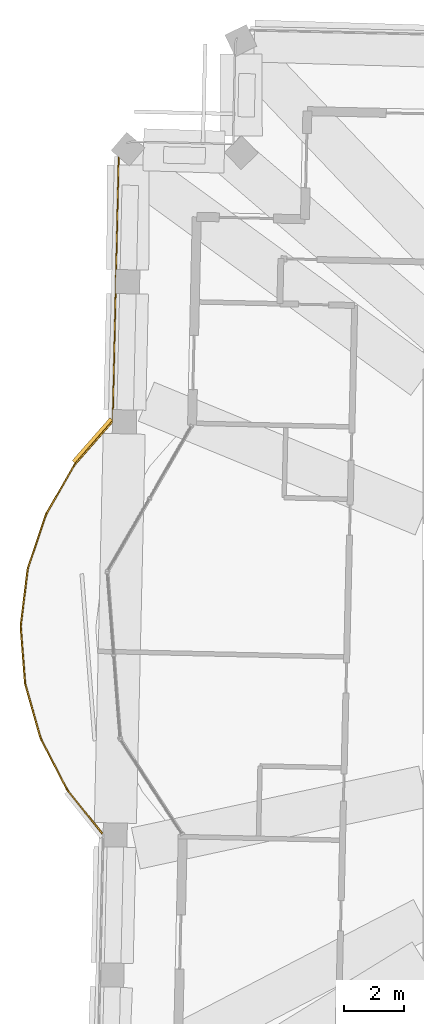
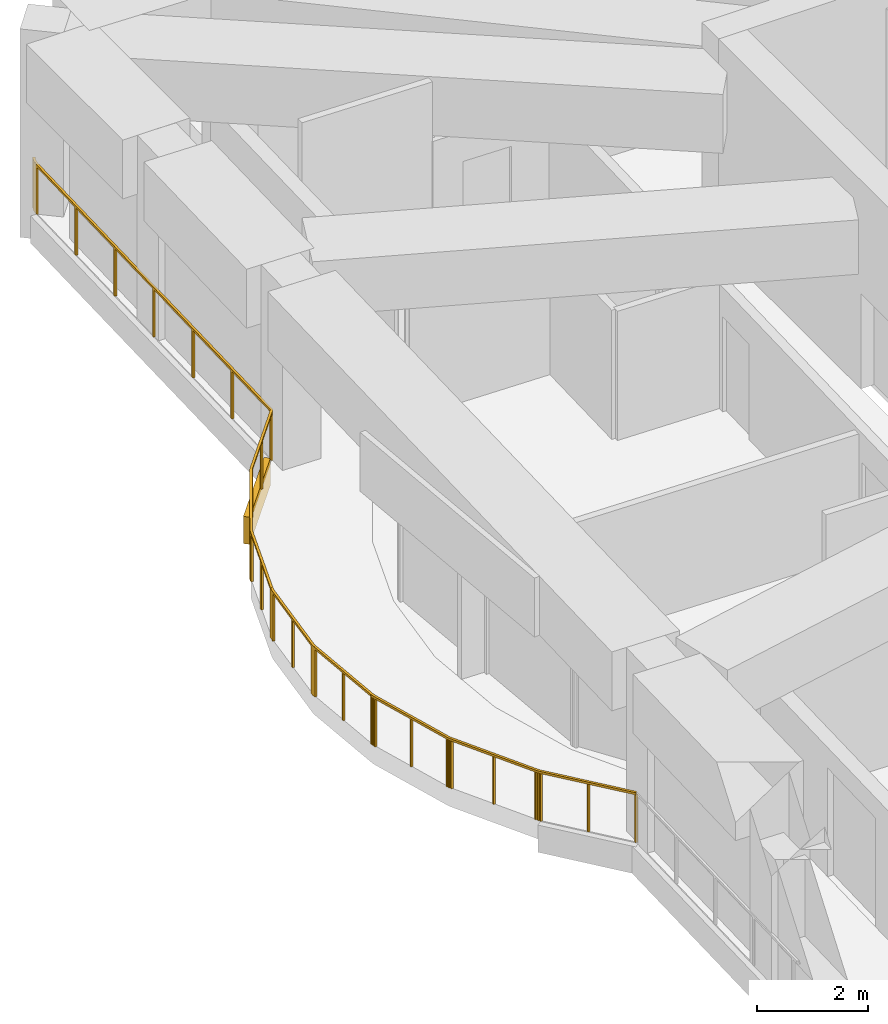
# One storey, part 16 of 19: 1 covering, 1 railing.
"""IFC4 building model written with IfcOpenShell, lengths in metres."""

from ifc_helpers import new_model, si_unit, direction, frame, frame_2d, origin, origin_2d, place, context, subcontext, project, spatial, rectangle, extrude, material, layer, layer_set, type_object, element, save


model = new_model("IFC4")

# Units and contexts
model_context = context("Model", 3, precision=1e-05, world=origin(), true_north=direction((0.0, 1.0)))
body_context = subcontext(model_context, "Body", "Model", "MODEL_VIEW")
ifc_project = project(units=[si_unit("LENGTHUNIT", "METRE"), si_unit("AREAUNIT", "SQUARE_METRE"), si_unit("VOLUMEUNIT", "CUBIC_METRE"), si_unit("PLANEANGLEUNIT", "RADIAN"), si_unit("MASSUNIT", "GRAM", prefix="KILO")], contexts=[model_context])

# Site, building, storey
site_placement = place(None, origin())
site = spatial("IfcSite", under=ifc_project, at=site_placement, CompositionType="ELEMENT")
building_placement = place(site_placement, origin())
building = spatial("IfcBuilding", under=site, at=building_placement, Name="Mangrove Gate Tower", CompositionType="ELEMENT")
storey_placement = place(building_placement, frame((0.0, 0.0, 346.10009765625)))
storey = spatial("IfcBuildingStorey", under=building, at=storey_placement, Name="L88", CompositionType="ELEMENT", Elevation=346.10009765625)

# Railing
ifc_material_1 = material(Name="Stainless steel grade 316 with laminated glass infill", Category="steel")
railing_type = type_object("IfcRailingType", Name="Balcony guard 1100", PredefinedType="GUARDRAIL", material=ifc_material_1)
railing_placement = place(storey_placement, frame((-25.05810546875, -4.68505859375, 0.0)))
element("IfcRailing", 1, at=railing_placement, inside=storey, type_object=railing_type, Name="GUARD L88 T3.1", PredefinedType="GUARDRAIL", context=body_context, shape_type="SweptSolid", body=[
    extrude(rectangle(XDim=0.048095703125, YDim=0.048095703125, at=origin_2d()), frame((0.0, 0.0, 1.076171875), z_axis=(-0.625515635467, 0.780211631409, 0.0), x_axis=(-0.780211631409, -0.625515635467, 0.0)), (0.0, 0.0, 1.0), 1.849609375),
    extrude(rectangle(XDim=0.048095703125, YDim=0.048095703125, at=origin_2d()), frame((-1.156982421875, 1.443115234375, 1.076171875), z_axis=(-0.574769244932, 0.818315535158, 0.0), x_axis=(-0.818315535158, -0.574769244932, 0.0)), (0.0, 0.0, 1.0), 0.050048828125),
    extrude(rectangle(XDim=0.048095703125, YDim=0.048095703125, at=origin_2d()), frame((-1.185791015625, 1.484130859375, 1.076171875), z_axis=(-0.505090118111, 0.863066609588, 0.0), x_axis=(-0.863066609588, -0.505090118111, 0.0)), (0.0, 0.0, 1.0), 0.0498046875),
    extrude(rectangle(XDim=0.048095703125, YDim=0.048095703125, at=origin_2d()), frame((-1.2109375, 1.527099609375, 1.076171875), z_axis=(-0.458491951737, 0.888698559801, 0.0), x_axis=(-0.888698559801, -0.458491951737, 0.0)), (0.0, 0.0, 1.0), 1.8125),
    extrude(rectangle(XDim=0.048095703125, YDim=0.048095703125, at=origin_2d()), frame((-2.0419921875, 3.137939453125, 1.076171875), z_axis=(-0.42154330482, 0.906808271997, 0.0), x_axis=(-0.906808271997, -0.42154330482, 0.0)), (0.0, 0.0, 1.0), 0.0498046875),
    extrude(rectangle(XDim=0.048095703125, YDim=0.048095703125, at=origin_2d()), frame((-2.06298828125, 3.18310546875, 1.076171875), z_axis=(-0.320664269532, 0.947192919233, 0.0), x_axis=(-0.947192919233, -0.320664269532, 0.0)), (0.0, 0.0, 1.0), 0.049560546875),
    extrude(rectangle(XDim=0.048095703125, YDim=0.048095703125, at=origin_2d()), frame((-2.078857421875, 3.22998046875, 1.076171875), z_axis=(-0.273084519811, 0.961990044148, 0.0), x_axis=(-0.961990044148, -0.273084519811, 0.0)), (0.0, 0.0, 1.0), 1.81298828125),
    extrude(rectangle(XDim=0.048095703125, YDim=0.048095703125, at=origin_2d()), frame((-2.573974609375, 4.97412109375, 1.076171875), z_axis=(-0.219512195122, 0.975609756098, 0.0), x_axis=(-0.975609756098, -0.219512195122, 0.0)), (0.0, 0.0, 1.0), 0.050048828125),
    extrude(rectangle(XDim=0.048095703125, YDim=0.048095703125, at=origin_2d()), frame((-2.5849609375, 5.02294921875, 1.076171875), z_axis=(-0.137971217349, 0.990436238828, 0.0), x_axis=(-0.990436238828, -0.137971217349, 0.0)), (0.0, 0.0, 1.0), 0.049560546875),
    extrude(rectangle(XDim=0.048095703125, YDim=0.048095703125, at=origin_2d()), frame((-2.591796875, 5.072021484375, 1.076171875), z_axis=(-0.076778903225, 0.997048143281, 0.0), x_axis=(-0.997048143281, -0.076778903225, 0.0)), (0.0, 0.0, 1.0), 1.8125),
    extrude(rectangle(XDim=0.048095703125, YDim=0.048095703125, at=origin_2d()), frame((-2.73095703125, 6.879150390625, 1.076171875), z_axis=(-0.039185566695, 0.999231950732, 0.0), x_axis=(-0.999231950732, -0.039185566695, 0.0)), (0.0, 0.0, 1.0), 0.0498046875),
    extrude(rectangle(XDim=0.048095703125, YDim=0.048095703125, at=origin_2d()), frame((-2.73291015625, 6.928955078125, 1.076171875), z_axis=(0.077812139635, 0.996968039069, 0.0), x_axis=(-0.996968039069, 0.077812139635, 0.0)), (0.0, 0.0, 1.0), 0.05029296875),
    extrude(rectangle(XDim=0.048095703125, YDim=0.048095703125, at=origin_2d()), frame((-2.72900390625, 6.97900390625, 1.076171875), z_axis=(0.122028644394, 0.992526578963, 0.0), x_axis=(-0.992526578963, 0.122028644394, 0.0)), (0.0, 0.0, 1.0), 1.8125),
    extrude(rectangle(XDim=0.048095703125, YDim=0.048095703125, at=origin_2d()), frame((-2.5078125, 8.778076171875, 1.076171875), z_axis=(0.181037892988, 0.983476121369, 0.0), x_axis=(-0.983476121369, 0.181037892988, 0.0)), (0.0, 0.0, 1.0), 0.0498046875),
    extrude(rectangle(XDim=0.048095703125, YDim=0.048095703125, at=origin_2d()), frame((-2.498779296875, 8.8271484375, 1.076171875), z_axis=(0.261033073796, 0.965329857813, 0.0), x_axis=(-0.965329857813, 0.261033073796, 0.0)), (0.0, 0.0, 1.0), 0.049560546875),
    extrude(rectangle(XDim=0.048095703125, YDim=0.048095703125, at=origin_2d()), frame((-2.48583984375, 8.875, 1.076171875), z_axis=(0.316550896183, 0.948575526843, 0.0), x_axis=(-0.948575526843, 0.316550896183, 0.0)), (0.0, 0.0, 1.0), 1.813232421875),
    extrude(rectangle(XDim=0.048095703125, YDim=0.048095703125, at=origin_2d()), frame((-1.911865234375, 10.594970703125, 1.076171875), z_axis=(0.364585106892, 0.931170070305, 0.0), x_axis=(-0.931170070305, 0.364585106892, 0.0)), (0.0, 0.0, 1.0), 0.049560546875),
    extrude(rectangle(XDim=0.048095703125, YDim=0.048095703125, at=origin_2d()), frame((-1.893798828125, 10.64111328125, 1.076171875), z_axis=(0.45494050276, 0.890521835189, 0.0), x_axis=(-0.890521835189, 0.45494050276, 0.0)), (0.0, 0.0, 1.0), 0.050537109375),
    extrude(rectangle(XDim=0.048095703125, YDim=0.048095703125, at=origin_2d()), frame((-1.870849609375, 10.68603515625, 1.076171875), z_axis=(0.498357212209, 0.866971792528, 0.0), x_axis=(-0.866971792528, 0.498357212209, 0.0)), (0.0, 0.0, 1.0), 1.81201171875),
    extrude(rectangle(XDim=0.048095703125, YDim=0.048095703125, at=origin_2d()), frame((-0.9677734375, 12.257080078125, 1.076171875), z_axis=(0.538775689721, 0.842449260291, 0.0), x_axis=(-0.842449260291, 0.538775689721, 0.0)), (0.0, 0.0, 1.0), 0.0498046875),
    extrude(rectangle(XDim=0.048095703125, YDim=0.048095703125, at=origin_2d()), frame((-0.94091796875, 12.299072265625, 1.076171875), z_axis=(0.621705532722, 0.783251064846, 0.0), x_axis=(-0.783251064846, 0.621705532722, 0.0)), (0.0, 0.0, 1.0), 0.0498046875),
    extrude(rectangle(XDim=0.048095703125, YDim=0.048095703125, at=origin_2d()), frame((-0.909912109375, 12.338134765625, 1.076171875), z_axis=(0.660267978545, 0.751030090281, 0.0), x_axis=(-0.751030090281, 0.660267978545, 0.0)), (0.0, 0.0, 1.0), 1.8505859375),
    extrude(rectangle(XDim=0.048095703125, YDim=0.048095703125, at=origin_2d()), frame((0.31201171875, 13.72802734375, 1.076171875), z_axis=(0.616881663227, 0.787055915151, 0.0), x_axis=(-0.787055915151, 0.616881663227, 0.0)), (0.0, 0.0, 1.0), 0.011474609375),
    extrude(rectangle(XDim=0.048095703125, YDim=0.048095703125, at=origin_2d()), frame((0.319091796875, 13.737060546875, 1.076171875), z_axis=(0.075257669471, 0.997164120487, 0.0), x_axis=(-0.997164120487, 0.075257669471, 0.0)), (0.0, 0.0, 1.0), 0.012939453125),
    extrude(rectangle(XDim=0.048095703125, YDim=0.048095703125, at=origin_2d()), frame((0.320068359375, 13.75, 1.076171875), z_axis=(0.022689939273, 0.999742550188, 0.0), x_axis=(-0.999742550188, 0.022689939273, 0.0)), (0.0, 0.0, 1.0), 8.812255859375),
    extrude(rectangle(XDim=0.048095703125, YDim=0.048095703125, at=origin_2d()), frame((0.52001953125, 22.56005859375, 1.076171875), z_axis=(0.084276225487, 0.996442430759, 0.0), x_axis=(-0.996442430759, 0.084276225487, 0.0)), (0.0, 0.0, 1.0), 0.04931640625),
    extrude(rectangle(XDim=0.048095703125, YDim=0.048095703125, at=origin_2d()), frame((0.524169921875, 22.609130859375, 1.076171875), z_axis=(0.166030511863, 0.986120615914, 0.0), x_axis=(-0.986120615914, 0.166030511863, 0.0)), (0.0, 0.0, 1.0), 0.048583984375),
    extrude(rectangle(XDim=0.048095703125, YDim=0.048095703125, at=origin_2d()), frame((0.5322265625, 22.656982421875, 1.076171875), z_axis=(0.264808083684, 0.964301134924, 0.0), x_axis=(-0.964301134924, 0.264808083684, 0.0)), (0.0, 0.0, 1.0), 0.048828125),
    extrude(rectangle(XDim=0.048095703125, YDim=0.048095703125, at=origin_2d()), frame((0.545166015625, 22.7041015625, 1.076171875), z_axis=(0.361967648779, 0.932190657129, 0.0), x_axis=(-0.932190657129, 0.361967648779, 0.0)), (0.0, 0.0, 1.0), 0.04931640625),
    extrude(rectangle(XDim=0.048095703125, YDim=0.048095703125, at=origin_2d()), frame((0.56298828125, 22.75, 1.076171875), z_axis=(0.436702041935, 0.899606206387, 0.0), x_axis=(-0.899606206387, 0.436702041935, 0.0)), (0.0, 0.0, 1.0), 0.02783203125),
    extrude(rectangle(XDim=0.0419921875, YDim=0.0419921875, at=origin_2d()), origin(), (0.0, 0.0, 1.0), 1.052001953125),
    extrude(rectangle(XDim=0.0419921875, YDim=0.0419921875, at=origin_2d()), frame((-0.57861328125, 0.7216796875, 0.0)), (0.0, 0.0, 1.0), 1.052001953125),
    extrude(rectangle(XDim=0.0419921875, YDim=0.0419921875, at=origin_2d()), frame((-1.156982421875, 1.443115234375, 0.0)), (0.0, 0.0, 1.0), 1.052001953125),
    extrude(rectangle(XDim=0.0419921875, YDim=0.0419921875, at=origin_2d()), frame((-1.185791015625, 1.484130859375, 0.0)), (0.0, 0.0, 1.0), 1.052001953125),
    extrude(rectangle(XDim=0.0419921875, YDim=0.0419921875, at=origin_2d()), frame((-1.2109375, 1.527099609375, 0.0)), (0.0, 0.0, 1.0), 1.052001953125),
    extrude(rectangle(XDim=0.0419921875, YDim=0.0419921875, at=origin_2d()), frame((-1.62646484375, 2.33251953125, 0.0)), (0.0, 0.0, 1.0), 1.052001953125),
    extrude(rectangle(XDim=0.0419921875, YDim=0.0419921875, at=origin_2d()), frame((-2.0419921875, 3.137939453125, 0.0)), (0.0, 0.0, 1.0), 1.052001953125),
    extrude(rectangle(XDim=0.0419921875, YDim=0.0419921875, at=origin_2d()), frame((-2.06298828125, 3.18310546875, 0.0)), (0.0, 0.0, 1.0), 1.052001953125),
    extrude(rectangle(XDim=0.0419921875, YDim=0.0419921875, at=origin_2d()), frame((-2.078857421875, 3.22998046875, 0.0)), (0.0, 0.0, 1.0), 1.052001953125),
    extrude(rectangle(XDim=0.0419921875, YDim=0.0419921875, at=origin_2d()), frame((-2.326416015625, 4.10205078125, 0.0)), (0.0, 0.0, 1.0), 1.052001953125),
    extrude(rectangle(XDim=0.0419921875, YDim=0.0419921875, at=origin_2d()), frame((-2.573974609375, 4.97412109375, 0.0)), (0.0, 0.0, 1.0), 1.052001953125),
    extrude(rectangle(XDim=0.0419921875, YDim=0.0419921875, at=origin_2d()), frame((-2.5849609375, 5.02294921875, 0.0)), (0.0, 0.0, 1.0), 1.052001953125),
    extrude(rectangle(XDim=0.0419921875, YDim=0.0419921875, at=origin_2d()), frame((-2.591796875, 5.072021484375, 0.0)), (0.0, 0.0, 1.0), 1.052001953125),
    extrude(rectangle(XDim=0.0419921875, YDim=0.0419921875, at=origin_2d()), frame((-2.661376953125, 5.9755859375, 0.0)), (0.0, 0.0, 1.0), 1.052001953125),
    extrude(rectangle(XDim=0.0419921875, YDim=0.0419921875, at=origin_2d()), frame((-2.73095703125, 6.879150390625, 0.0)), (0.0, 0.0, 1.0), 1.052001953125),
    extrude(rectangle(XDim=0.0419921875, YDim=0.0419921875, at=origin_2d()), frame((-2.73291015625, 6.928955078125, 0.0)), (0.0, 0.0, 1.0), 1.052001953125),
    extrude(rectangle(XDim=0.0419921875, YDim=0.0419921875, at=origin_2d()), frame((-2.72900390625, 6.97900390625, 0.0)), (0.0, 0.0, 1.0), 1.052001953125),
    extrude(rectangle(XDim=0.0419921875, YDim=0.0419921875, at=origin_2d()), frame((-2.618408203125, 7.87841796875, 0.0)), (0.0, 0.0, 1.0), 1.052001953125),
    extrude(rectangle(XDim=0.0419921875, YDim=0.0419921875, at=origin_2d()), frame((-2.5078125, 8.778076171875, 0.0)), (0.0, 0.0, 1.0), 1.052001953125),
    extrude(rectangle(XDim=0.0419921875, YDim=0.0419921875, at=origin_2d()), frame((-2.498779296875, 8.8271484375, 0.0)), (0.0, 0.0, 1.0), 1.052001953125),
    extrude(rectangle(XDim=0.0419921875, YDim=0.0419921875, at=origin_2d()), frame((-2.48583984375, 8.875, 0.0)), (0.0, 0.0, 1.0), 1.052001953125),
    extrude(rectangle(XDim=0.0419921875, YDim=0.0419921875, at=origin_2d()), frame((-2.19873046875, 9.73486328125, 0.0)), (0.0, 0.0, 1.0), 1.052001953125),
    extrude(rectangle(XDim=0.0419921875, YDim=0.0419921875, at=origin_2d()), frame((-1.911865234375, 10.594970703125, 0.0)), (0.0, 0.0, 1.0), 1.052001953125),
    extrude(rectangle(XDim=0.0419921875, YDim=0.0419921875, at=origin_2d()), frame((-1.893798828125, 10.64111328125, 0.0)), (0.0, 0.0, 1.0), 1.052001953125),
    extrude(rectangle(XDim=0.0419921875, YDim=0.0419921875, at=origin_2d()), frame((-1.870849609375, 10.68603515625, 0.0)), (0.0, 0.0, 1.0), 1.052001953125),
    extrude(rectangle(XDim=0.0419921875, YDim=0.0419921875, at=origin_2d()), frame((-1.41943359375, 11.4716796875, 0.0)), (0.0, 0.0, 1.0), 1.052001953125),
    extrude(rectangle(XDim=0.0419921875, YDim=0.0419921875, at=origin_2d()), frame((-0.9677734375, 12.257080078125, 0.0)), (0.0, 0.0, 1.0), 1.052001953125),
    extrude(rectangle(XDim=0.0419921875, YDim=0.0419921875, at=origin_2d()), frame((-0.94091796875, 12.299072265625, 0.0)), (0.0, 0.0, 1.0), 1.052001953125),
    extrude(rectangle(XDim=0.0419921875, YDim=0.0419921875, at=origin_2d()), frame((-0.909912109375, 12.338134765625, 0.0)), (0.0, 0.0, 1.0), 1.052001953125),
    extrude(rectangle(XDim=0.0419921875, YDim=0.0419921875, at=origin_2d()), frame((-0.298828125, 13.033203125, 0.0)), (0.0, 0.0, 1.0), 1.052001953125),
    extrude(rectangle(XDim=0.0419921875, YDim=0.0419921875, at=origin_2d()), frame((0.31201171875, 13.72802734375, 0.0)), (0.0, 0.0, 1.0), 1.052001953125),
    extrude(rectangle(XDim=0.0419921875, YDim=0.0419921875, at=origin_2d()), frame((0.319091796875, 13.737060546875, 0.0)), (0.0, 0.0, 1.0), 1.052001953125),
    extrude(rectangle(XDim=0.0419921875, YDim=0.0419921875, at=origin_2d()), frame((0.320068359375, 13.75, 0.0)), (0.0, 0.0, 1.0), 1.052001953125),
    extrude(rectangle(XDim=0.0419921875, YDim=0.0419921875, at=origin_2d()), frame((0.353515625, 15.21826171875, 0.0)), (0.0, 0.0, 1.0), 1.052001953125),
    extrude(rectangle(XDim=0.0419921875, YDim=0.0419921875, at=origin_2d()), frame((0.38671875, 16.686767578125, 0.0)), (0.0, 0.0, 1.0), 1.052001953125),
    extrude(rectangle(XDim=0.0419921875, YDim=0.0419921875, at=origin_2d()), frame((0.419921875, 18.155029296875, 0.0)), (0.0, 0.0, 1.0), 1.052001953125),
    extrude(rectangle(XDim=0.0419921875, YDim=0.0419921875, at=origin_2d()), frame((0.453369140625, 19.623291015625, 0.0)), (0.0, 0.0, 1.0), 1.052001953125),
    extrude(rectangle(XDim=0.0419921875, YDim=0.0419921875, at=origin_2d()), frame((0.48681640625, 21.091796875, 0.0)), (0.0, 0.0, 1.0), 1.052001953125),
    extrude(rectangle(XDim=0.0419921875, YDim=0.0419921875, at=origin_2d()), frame((0.52001953125, 22.56005859375, 0.0)), (0.0, 0.0, 1.0), 1.052001953125),
    extrude(rectangle(XDim=0.0419921875, YDim=0.0419921875, at=origin_2d()), frame((0.524169921875, 22.609130859375, 0.0)), (0.0, 0.0, 1.0), 1.052001953125),
    extrude(rectangle(XDim=0.0419921875, YDim=0.0419921875, at=origin_2d()), frame((0.5322265625, 22.656982421875, 0.0)), (0.0, 0.0, 1.0), 1.052001953125),
    extrude(rectangle(XDim=0.0419921875, YDim=0.0419921875, at=origin_2d()), frame((0.545166015625, 22.7041015625, 0.0)), (0.0, 0.0, 1.0), 1.052001953125),
    extrude(rectangle(XDim=0.0419921875, YDim=0.0419921875, at=origin_2d()), frame((0.56298828125, 22.75, 0.0)), (0.0, 0.0, 1.0), 1.052001953125),
    extrude(rectangle(XDim=0.0419921875, YDim=0.0419921875, at=origin_2d()), frame((0.5751953125, 22.775146484375, 0.0)), (0.0, 0.0, 1.0), 1.052001953125),
])

# Covering
ifc_material_2 = material(Name="Limestone", Category="masonry")
ifc_layer_1 = layer(ifc_material_2, 0.0400390625, Name="Limestone cladding")
ifc_material_3 = material(Name="Stainless steel anchors and cavity", Category="steel")
ifc_layer_2 = layer(ifc_material_3, 0.080078125, Name="Fixing cavity")
ifc_layer_set = layer_set([ifc_layer_1, ifc_layer_2], Name="Joint fascia cladding 120")
covering_type = type_object("IfcCoveringType", Name="Joint fascia cladding 120", PredefinedType="CLADDING", material=ifc_layer_set)
covering_placement = place(storey_placement, frame((-26.035888671875, 7.712890625, -0.60009765625), z_axis=(0.0, 0.0, 1.0), x_axis=(0.660367195698, 0.750942851917, 0.0)))
element("IfcCovering", 2, at=covering_placement, inside=storey, type_object=covering_type, Name="STONE FASCIA L88 Tcrown13-1.2", PredefinedType="CLADDING", context=body_context, shape_type="SweptSolid", body=[
    extrude(rectangle(XDim=1.900390625, YDim=0.1201171875, at=frame_2d((0.9501953125, 0.0))), origin(), (0.0, 0.0, 1.0), 0.60009765625),
])

save(model, "model.ifc")
